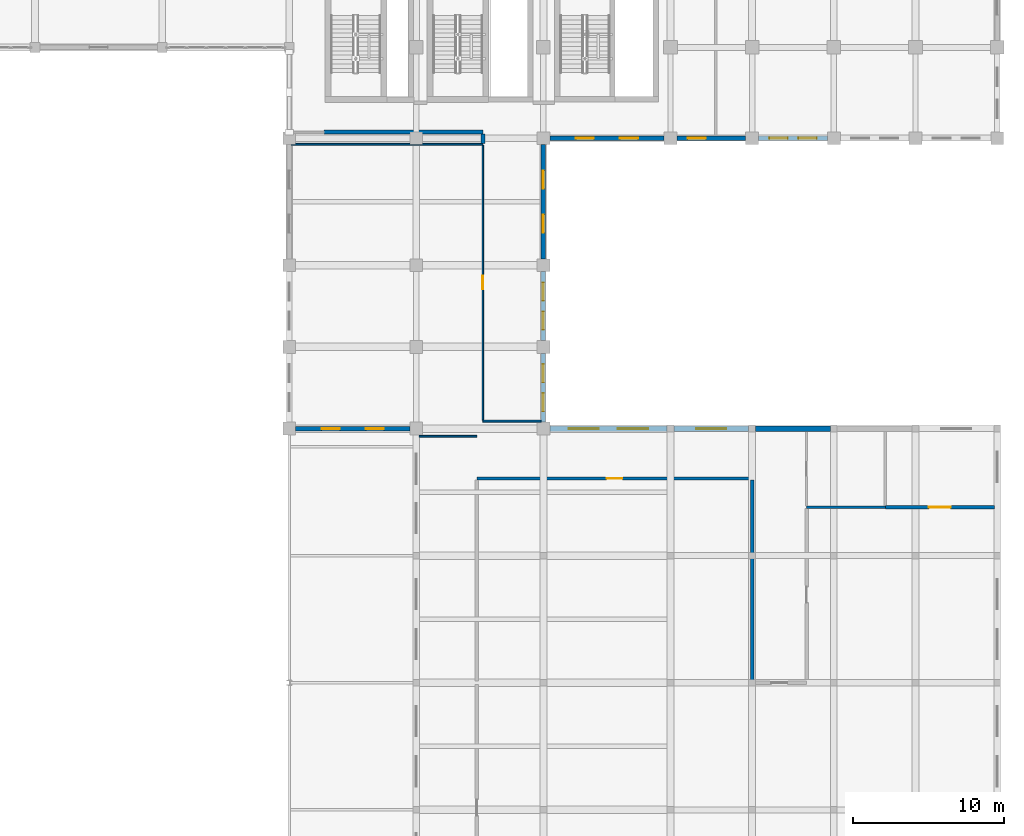
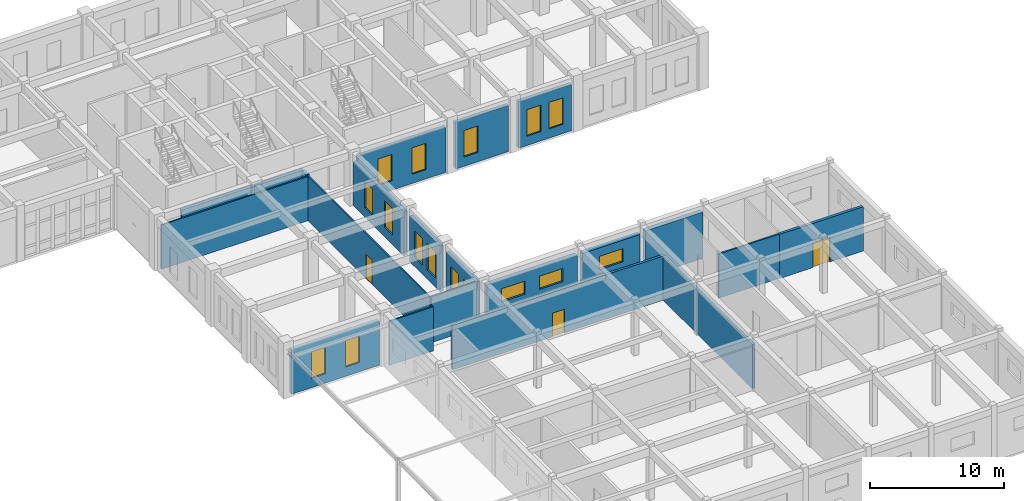
# One storey, part 67 of 80: 20 walls, 16 windows, 3 doors, 19 openings.
"""IFC4 building model written with IfcOpenShell, lengths in metres."""

from ifc_helpers import new_model, si_unit, direction, frame, frame_2d, origin, place, context, subcontext, project, spatial, rectangle, extrude, material, layer, layer_set, type_object, element, fill, save


model = new_model("IFC4")

# Units and contexts
model_context = context("Model", 3, precision=1e-05, world=origin(), true_north=direction((0.0, 1.0)))
body_context = subcontext(model_context, "Body", "Model", "MODEL_VIEW")
ifc_project = project(units=[si_unit("LENGTHUNIT", "METRE"), si_unit("AREAUNIT", "SQUARE_METRE"), si_unit("VOLUMEUNIT", "CUBIC_METRE"), si_unit("PLANEANGLEUNIT", "RADIAN"), si_unit("MASSUNIT", "GRAM", prefix="KILO")], contexts=[model_context])

# Site, building, storey
site_placement = place(None, origin())
site = spatial("IfcSite", under=ifc_project, at=site_placement, CompositionType="ELEMENT")
building_placement = place(site_placement, origin())
building = spatial("IfcBuilding", under=site, at=building_placement, Name="Krzemoval Escarpment Law Courts", CompositionType="ELEMENT")
storey_placement = place(building_placement, origin())
storey = spatial("IfcBuildingStorey", under=building, at=storey_placement, Name="L00", CompositionType="ELEMENT", Elevation=0.0)

# Wall, openings, windows
ifc_material_1 = material(Name="Precast concrete C40/50", Category="concrete")
ifc_layer_1 = layer(ifc_material_1, 0.300048828125)
ifc_layer_set_1 = layer_set([ifc_layer_1], Name="Precast concrete C40/50")
wall_type_1 = type_object("IfcWallType", Name="WL-EXT-300", PredefinedType="SOLIDWALL", material=ifc_layer_set_1)
wall_1_placement = place(storey_placement, frame((161.574951171875, 93.60009765625, 0.0), z_axis=(0.0, 0.0, 1.0), x_axis=(-1.0, 0.0, 0.0)))
wall_1 = element("IfcWall", 1, at=wall_1_placement, inside=storey, type_object=wall_type_1, Name="Exterior Wall EW-L00-0103", PredefinedType="SOLIDWALL", context=body_context, shape_type="SweptSolid", body=[
    extrude(rectangle(XDim=4.550048828125, YDim=0.300048828125, at=frame_2d((2.27490234375, 0.0))), origin(), (0.0, 0.0, 1.0), 4.219970703125),
])
opening_1_placement = place(wall_1_placement, frame((0.717041015625, 0.0, 0.85009765625)))
opening_1 = element("IfcOpeningElement", 2, at=opening_1_placement, cuts=wall_1, Name="Opening WN-L00-0045", PredefinedType="OPENING", context=body_context, shape_type="SweptSolid", body=[
    extrude(rectangle(XDim=1.199951171875, YDim=2.39990234375, at=frame_2d((0.60009765625, 1.199951171875))), frame((0.0, 0.16502, 0.0), z_axis=(0.0, -1.0, 0.0), x_axis=(1.0, 0.0, 0.0)), (0.0, 0.0, 1.0), 0.33005),
])
opening_2_placement = place(wall_1_placement, frame((2.633056640625, 0.0, 0.85009765625)))
opening_2 = element("IfcOpeningElement", 3, at=opening_2_placement, cuts=wall_1, Name="Opening WN-L00-0046", PredefinedType="OPENING", context=body_context, shape_type="SweptSolid", body=[
    extrude(rectangle(XDim=1.199951171875, YDim=2.39990234375, at=frame_2d((0.60009765625, 1.199951171875))), frame((0.0, 0.16502, 0.0), z_axis=(0.0, -1.0, 0.0), x_axis=(1.0, 0.0, 0.0)), (0.0, 0.0, 1.0), 0.33005),
])
ifc_material_2 = material(Name="Thermally Broken Aluminium Frame with Triple Low-E Acoustic Glass", Category="aluminium")
window_type_1 = type_object("IfcWindowType", Name="WN-1200x2400", PartitioningType="SINGLE_PANEL", PredefinedType="WINDOW", material=ifc_material_2)
window_1_placement = place(opening_1_placement, origin())
window_1 = element("IfcWindow", 4, at=window_1_placement, inside=storey, type_object=window_type_1, Name="Facade Window WN-L00-0045", OverallHeight=2.39990234375, OverallWidth=1.199951171875, PartitioningType="SINGLE_PANEL", PredefinedType="WINDOW", context=body_context, shape_type="SweptSolid", body=[
    extrude(rectangle(XDim=1.199951171875, YDim=2.39990234375, at=frame_2d((0.60009765625, 1.199951171875))), frame((0.0, 0.030029296875, 0.0), z_axis=(0.0, -1.0, 0.0), x_axis=(1.0, 0.0, 0.0)), (0.0, 0.0, 1.0), 0.06005859375),
])
fill(opening_1, window_1)
window_2_placement = place(opening_2_placement, origin())
window_2 = element("IfcWindow", 5, at=window_2_placement, inside=storey, type_object=window_type_1, Name="Facade Window WN-L00-0046", OverallHeight=2.39990234375, OverallWidth=1.199951171875, PartitioningType="SINGLE_PANEL", PredefinedType="WINDOW", context=body_context, shape_type="SweptSolid", body=[
    extrude(rectangle(XDim=1.199951171875, YDim=2.39990234375, at=frame_2d((0.60009765625, 1.199951171875))), frame((0.0, 0.030029296875, 0.0), z_axis=(0.0, -1.0, 0.0), x_axis=(1.0, 0.0, 0.0)), (0.0, 0.0, 1.0), 0.06005859375),
])
fill(opening_2, window_2)

# Wall, opening, window
wall_2_placement = place(storey_placement, frame((156.175048828125, 93.60009765625, 0.0), z_axis=(0.0, 0.0, 1.0), x_axis=(-1.0, 0.0, 0.0)))
wall_2 = element("IfcWall", 6, at=wall_2_placement, inside=storey, type_object=wall_type_1, Name="Exterior Wall EW-L00-0104", PredefinedType="SOLIDWALL", context=body_context, shape_type="SweptSolid", body=[
    extrude(rectangle(XDim=4.550048828125, YDim=0.300048828125, at=frame_2d((2.27490234375, 0.0))), origin(), (0.0, 0.0, 1.0), 4.219970703125),
])
opening_3_placement = place(wall_2_placement, frame((2.633056640625, 0.0, 0.85009765625)))
opening_3 = element("IfcOpeningElement", 7, at=opening_3_placement, cuts=wall_2, Name="Opening WN-L00-0047", PredefinedType="OPENING", context=body_context, shape_type="SweptSolid", body=[
    extrude(rectangle(XDim=1.199951171875, YDim=2.39990234375, at=frame_2d((0.60009765625, 1.199951171875))), frame((0.0, 0.16502, 0.0), z_axis=(0.0, -1.0, 0.0), x_axis=(1.0, 0.0, 0.0)), (0.0, 0.0, 1.0), 0.33005),
])
window_3_placement = place(opening_3_placement, origin())
window_3 = element("IfcWindow", 8, at=window_3_placement, inside=storey, type_object=window_type_1, Name="Facade Window WN-L00-0047", OverallHeight=2.39990234375, OverallWidth=1.199951171875, PartitioningType="SINGLE_PANEL", PredefinedType="WINDOW", context=body_context, shape_type="SweptSolid", body=[
    extrude(rectangle(XDim=1.199951171875, YDim=2.39990234375, at=frame_2d((0.60009765625, 1.199951171875))), frame((0.0, 0.030029296875, 0.0), z_axis=(0.0, -1.0, 0.0), x_axis=(1.0, 0.0, 0.0)), (0.0, 0.0, 1.0), 0.06005859375),
])
fill(opening_3, window_3)

# Wall, openings, windows
wall_3_placement = place(storey_placement, frame((150.77490234375, 93.60009765625, 0.0), z_axis=(0.0, 0.0, 1.0), x_axis=(-1.0, 0.0, 0.0)))
wall_3 = element("IfcWall", 9, at=wall_3_placement, inside=storey, type_object=wall_type_1, Name="Exterior Wall EW-L00-0105", PredefinedType="SOLIDWALL", context=body_context, shape_type="SweptSolid", body=[
    extrude(rectangle(XDim=7.5498046875, YDim=0.300048828125, at=frame_2d((3.77490234375, 0.0))), origin(), (0.0, 0.0, 1.0), 4.1201171875),
])
opening_4_placement = place(wall_3_placement, frame((1.717041015625, 0.0, 0.85009765625)))
opening_4 = element("IfcOpeningElement", 10, at=opening_4_placement, cuts=wall_3, Name="Opening WN-L00-0048", PredefinedType="OPENING", context=body_context, shape_type="SweptSolid", body=[
    extrude(rectangle(XDim=1.199951171875, YDim=2.39990234375, at=frame_2d((0.60009765625, 1.199951171875))), frame((0.0, 0.16502, 0.0), z_axis=(0.0, -1.0, 0.0), x_axis=(1.0, 0.0, 0.0)), (0.0, 0.0, 1.0), 0.33005),
])
opening_5_placement = place(wall_3_placement, frame((4.633056640625, 0.0, 0.85009765625)))
opening_5 = element("IfcOpeningElement", 11, at=opening_5_placement, cuts=wall_3, Name="Opening WN-L00-0049", PredefinedType="OPENING", context=body_context, shape_type="SweptSolid", body=[
    extrude(rectangle(XDim=1.199951171875, YDim=2.39990234375, at=frame_2d((0.60009765625, 1.199951171875))), frame((0.0, 0.16502, 0.0), z_axis=(0.0, -1.0, 0.0), x_axis=(1.0, 0.0, 0.0)), (0.0, 0.0, 1.0), 0.33005),
])
window_4_placement = place(opening_4_placement, origin())
window_4 = element("IfcWindow", 12, at=window_4_placement, inside=storey, type_object=window_type_1, Name="Facade Window WN-L00-0048", OverallHeight=2.39990234375, OverallWidth=1.199951171875, PartitioningType="SINGLE_PANEL", PredefinedType="WINDOW", context=body_context, shape_type="SweptSolid", body=[
    extrude(rectangle(XDim=1.199951171875, YDim=2.39990234375, at=frame_2d((0.60009765625, 1.199951171875))), frame((0.0, 0.030029296875, 0.0), z_axis=(0.0, -1.0, 0.0), x_axis=(1.0, 0.0, 0.0)), (0.0, 0.0, 1.0), 0.06005859375),
])
fill(opening_4, window_4)
window_5_placement = place(opening_5_placement, origin())
window_5 = element("IfcWindow", 13, at=window_5_placement, inside=storey, type_object=window_type_1, Name="Facade Window WN-L00-0049", OverallHeight=2.39990234375, OverallWidth=1.199951171875, PartitioningType="SINGLE_PANEL", PredefinedType="WINDOW", context=body_context, shape_type="SweptSolid", body=[
    extrude(rectangle(XDim=1.199951171875, YDim=2.39990234375, at=frame_2d((0.60009765625, 1.199951171875))), frame((0.0, 0.030029296875, 0.0), z_axis=(0.0, -1.0, 0.0), x_axis=(1.0, 0.0, 0.0)), (0.0, 0.0, 1.0), 0.06005859375),
])
fill(opening_5, window_5)

wall_4_placement = place(storey_placement, frame((142.800048828125, 93.175048828125, 0.0), z_axis=(0.0, 0.0, 1.0), x_axis=(0.0, -1.0, 0.0)))
wall_4 = element("IfcWall", 14, at=wall_4_placement, inside=storey, type_object=wall_type_1, Name="Exterior Wall EW-L00-0106", PredefinedType="SOLIDWALL", context=body_context, shape_type="SweptSolid", body=[
    extrude(rectangle(XDim=7.550048828125, YDim=0.300048828125, at=frame_2d((3.77490234375, 0.0))), origin(), (0.0, 0.0, 1.0), 4.02001953125),
])
opening_6_placement = place(wall_4_placement, frame((1.717041015625, 0.0, 0.85009765625)))
opening_6 = element("IfcOpeningElement", 15, at=opening_6_placement, cuts=wall_4, Name="Opening WN-L00-0050", PredefinedType="OPENING", context=body_context, shape_type="SweptSolid", body=[
    extrude(rectangle(XDim=1.199951171875, YDim=2.39990234375, at=frame_2d((0.60009765625, 1.199951171875))), frame((0.0, 0.16502, 0.0), z_axis=(0.0, -1.0, 0.0), x_axis=(1.0, 0.0, 0.0)), (0.0, 0.0, 1.0), 0.33005),
])
opening_7_placement = place(wall_4_placement, frame((4.633056640625, 0.0, 0.85009765625)))
opening_7 = element("IfcOpeningElement", 16, at=opening_7_placement, cuts=wall_4, Name="Opening WN-L00-0051", PredefinedType="OPENING", context=body_context, shape_type="SweptSolid", body=[
    extrude(rectangle(XDim=1.199951171875, YDim=2.39990234375, at=frame_2d((0.60009765625, 1.199951171875))), frame((0.0, 0.16502, 0.0), z_axis=(0.0, -1.0, 0.0), x_axis=(1.0, 0.0, 0.0)), (0.0, 0.0, 1.0), 0.33005),
])
window_6_placement = place(opening_6_placement, origin())
window_6 = element("IfcWindow", 17, at=window_6_placement, inside=storey, type_object=window_type_1, Name="Facade Window WN-L00-0050", OverallHeight=2.39990234375, OverallWidth=1.199951171875, PartitioningType="SINGLE_PANEL", PredefinedType="WINDOW", context=body_context, shape_type="SweptSolid", body=[
    extrude(rectangle(XDim=1.199951171875, YDim=2.39990234375, at=frame_2d((0.60009765625, 1.199951171875))), frame((0.0, 0.030029296875, 0.0), z_axis=(0.0, -1.0, 0.0), x_axis=(1.0, 0.0, 0.0)), (0.0, 0.0, 1.0), 0.06005859375),
])
fill(opening_6, window_6)
window_7_placement = place(opening_7_placement, origin())
window_7 = element("IfcWindow", 18, at=window_7_placement, inside=storey, type_object=window_type_1, Name="Facade Window WN-L00-0051", OverallHeight=2.39990234375, OverallWidth=1.199951171875, PartitioningType="SINGLE_PANEL", PredefinedType="WINDOW", context=body_context, shape_type="SweptSolid", body=[
    extrude(rectangle(XDim=1.199951171875, YDim=2.39990234375, at=frame_2d((0.60009765625, 1.199951171875))), frame((0.0, 0.030029296875, 0.0), z_axis=(0.0, -1.0, 0.0), x_axis=(1.0, 0.0, 0.0)), (0.0, 0.0, 1.0), 0.06005859375),
])
fill(opening_7, window_7)

wall_5_placement = place(storey_placement, frame((142.800048828125, 84.77490234375, 0.0), z_axis=(0.0, 0.0, 1.0), x_axis=(0.0, -1.0, 0.0)))
wall_5 = element("IfcWall", 19, at=wall_5_placement, inside=storey, type_object=wall_type_1, Name="Exterior Wall EW-L00-0107", PredefinedType="SOLIDWALL", context=body_context, shape_type="SweptSolid", body=[
    extrude(rectangle(XDim=4.5498046875, YDim=0.300048828125, at=frame_2d((2.27490234375, 0.0))), origin(), (0.0, 0.0, 1.0), 4.169921875),
])
opening_8_placement = place(wall_5_placement, frame((0.717041015625, 0.0, 0.85009765625)))
opening_8 = element("IfcOpeningElement", 20, at=opening_8_placement, cuts=wall_5, Name="Opening WN-L00-0052", PredefinedType="OPENING", context=body_context, shape_type="SweptSolid", body=[
    extrude(rectangle(XDim=1.199951171875, YDim=2.39990234375, at=frame_2d((0.60009765625, 1.199951171875))), frame((0.0, 0.16502, 0.0), z_axis=(0.0, -1.0, 0.0), x_axis=(1.0, 0.0, 0.0)), (0.0, 0.0, 1.0), 0.33005),
])
opening_9_placement = place(wall_5_placement, frame((2.633056640625, 0.0, 0.85009765625)))
opening_9 = element("IfcOpeningElement", 21, at=opening_9_placement, cuts=wall_5, Name="Opening WN-L00-0053", PredefinedType="OPENING", context=body_context, shape_type="SweptSolid", body=[
    extrude(rectangle(XDim=1.199951171875, YDim=2.39990234375, at=frame_2d((0.60009765625, 1.199951171875))), frame((0.0, 0.16502, 0.0), z_axis=(0.0, -1.0, 0.0), x_axis=(1.0, 0.0, 0.0)), (0.0, 0.0, 1.0), 0.33005),
])
window_8_placement = place(opening_8_placement, origin())
window_8 = element("IfcWindow", 22, at=window_8_placement, inside=storey, type_object=window_type_1, Name="Facade Window WN-L00-0052", OverallHeight=2.39990234375, OverallWidth=1.199951171875, PartitioningType="SINGLE_PANEL", PredefinedType="WINDOW", context=body_context, shape_type="SweptSolid", body=[
    extrude(rectangle(XDim=1.199951171875, YDim=2.39990234375, at=frame_2d((0.60009765625, 1.199951171875))), frame((0.0, 0.030029296875, 0.0), z_axis=(0.0, -1.0, 0.0), x_axis=(1.0, 0.0, 0.0)), (0.0, 0.0, 1.0), 0.06005859375),
])
fill(opening_8, window_8)
window_9_placement = place(opening_9_placement, origin())
window_9 = element("IfcWindow", 23, at=window_9_placement, inside=storey, type_object=window_type_1, Name="Facade Window WN-L00-0053", OverallHeight=2.39990234375, OverallWidth=1.199951171875, PartitioningType="SINGLE_PANEL", PredefinedType="WINDOW", context=body_context, shape_type="SweptSolid", body=[
    extrude(rectangle(XDim=1.199951171875, YDim=2.39990234375, at=frame_2d((0.60009765625, 1.199951171875))), frame((0.0, 0.030029296875, 0.0), z_axis=(0.0, -1.0, 0.0), x_axis=(1.0, 0.0, 0.0)), (0.0, 0.0, 1.0), 0.06005859375),
])
fill(opening_9, window_9)

wall_6_placement = place(storey_placement, frame((142.800048828125, 79.375, 0.0), z_axis=(0.0, 0.0, 1.0), x_axis=(0.0, -1.0, 0.0)))
wall_6 = element("IfcWall", 24, at=wall_6_placement, inside=storey, type_object=wall_type_1, Name="Exterior Wall EW-L00-0108", PredefinedType="SOLIDWALL", context=body_context, shape_type="SweptSolid", body=[
    extrude(rectangle(XDim=4.550048828125, YDim=0.300048828125, at=frame_2d((2.27490234375, 0.0))), origin(), (0.0, 0.0, 1.0), 4.169921875),
])
opening_10_placement = place(wall_6_placement, frame((0.717041015625, 0.0, 0.85009765625)))
opening_10 = element("IfcOpeningElement", 25, at=opening_10_placement, cuts=wall_6, Name="Opening WN-L00-0054", PredefinedType="OPENING", context=body_context, shape_type="SweptSolid", body=[
    extrude(rectangle(XDim=1.199951171875, YDim=2.39990234375, at=frame_2d((0.60009765625, 1.199951171875))), frame((0.0, 0.16502, 0.0), z_axis=(0.0, -1.0, 0.0), x_axis=(1.0, 0.0, 0.0)), (0.0, 0.0, 1.0), 0.33005),
])
opening_11_placement = place(wall_6_placement, frame((2.633056640625, 0.0, 0.85009765625)))
opening_11 = element("IfcOpeningElement", 26, at=opening_11_placement, cuts=wall_6, Name="Opening WN-L00-0055", PredefinedType="OPENING", context=body_context, shape_type="SweptSolid", body=[
    extrude(rectangle(XDim=1.199951171875, YDim=2.39990234375, at=frame_2d((0.60009765625, 1.199951171875))), frame((0.0, 0.16502, 0.0), z_axis=(0.0, -1.0, 0.0), x_axis=(1.0, 0.0, 0.0)), (0.0, 0.0, 1.0), 0.33005),
])
window_10_placement = place(opening_10_placement, origin())
window_10 = element("IfcWindow", 27, at=window_10_placement, inside=storey, type_object=window_type_1, Name="Facade Window WN-L00-0054", OverallHeight=2.39990234375, OverallWidth=1.199951171875, PartitioningType="SINGLE_PANEL", PredefinedType="WINDOW", context=body_context, shape_type="SweptSolid", body=[
    extrude(rectangle(XDim=1.199951171875, YDim=2.39990234375, at=frame_2d((0.60009765625, 1.199951171875))), frame((0.0, 0.030029296875, 0.0), z_axis=(0.0, -1.0, 0.0), x_axis=(1.0, 0.0, 0.0)), (0.0, 0.0, 1.0), 0.06005859375),
])
fill(opening_10, window_10)
window_11_placement = place(opening_11_placement, origin())
window_11 = element("IfcWindow", 28, at=window_11_placement, inside=storey, type_object=window_type_1, Name="Facade Window WN-L00-0055", OverallHeight=2.39990234375, OverallWidth=1.199951171875, PartitioningType="SINGLE_PANEL", PredefinedType="WINDOW", context=body_context, shape_type="SweptSolid", body=[
    extrude(rectangle(XDim=1.199951171875, YDim=2.39990234375, at=frame_2d((0.60009765625, 1.199951171875))), frame((0.0, 0.030029296875, 0.0), z_axis=(0.0, -1.0, 0.0), x_axis=(1.0, 0.0, 0.0)), (0.0, 0.0, 1.0), 0.06005859375),
])
fill(opening_11, window_11)

wall_7_placement = place(storey_placement, frame((133.97509765625, 74.39990234375, 0.0), z_axis=(0.0, 0.0, 1.0), x_axis=(-1.0, 0.0, 0.0)))
wall_7 = element("IfcWall", 29, at=wall_7_placement, inside=storey, type_object=wall_type_1, Name="Exterior Wall EW-L00-0160", PredefinedType="SOLIDWALL", context=body_context, shape_type="SweptSolid", body=[
    extrude(rectangle(XDim=7.550048828125, YDim=0.300048828125, at=frame_2d((3.77490234375, 0.0))), origin(), (0.0, 0.0, 1.0), 4.070068359375),
])
opening_12_placement = place(wall_7_placement, frame((1.717041015625, 0.0, 0.85009765625)))
opening_12 = element("IfcOpeningElement", 30, at=opening_12_placement, cuts=wall_7, Name="Opening WN-L00-0124", PredefinedType="OPENING", context=body_context, shape_type="SweptSolid", body=[
    extrude(rectangle(XDim=1.199951171875, YDim=2.39990234375, at=frame_2d((0.60009765625, 1.199951171875))), frame((0.0, 0.16502, 0.0), z_axis=(0.0, -1.0, 0.0), x_axis=(1.0, 0.0, 0.0)), (0.0, 0.0, 1.0), 0.33005),
])
opening_13_placement = place(wall_7_placement, frame((4.633056640625, 0.0, 0.85009765625)))
opening_13 = element("IfcOpeningElement", 31, at=opening_13_placement, cuts=wall_7, Name="Opening WN-L00-0125", PredefinedType="OPENING", context=body_context, shape_type="SweptSolid", body=[
    extrude(rectangle(XDim=1.199951171875, YDim=2.39990234375, at=frame_2d((0.60009765625, 1.199951171875))), frame((0.0, 0.16502, 0.0), z_axis=(0.0, -1.0, 0.0), x_axis=(1.0, 0.0, 0.0)), (0.0, 0.0, 1.0), 0.33005),
])
window_12_placement = place(opening_12_placement, origin())
window_12 = element("IfcWindow", 32, at=window_12_placement, inside=storey, type_object=window_type_1, Name="Facade Window WN-L00-0124", OverallHeight=2.39990234375, OverallWidth=1.199951171875, PartitioningType="SINGLE_PANEL", PredefinedType="WINDOW", context=body_context, shape_type="SweptSolid", body=[
    extrude(rectangle(XDim=1.199951171875, YDim=2.39990234375, at=frame_2d((0.60009765625, 1.199951171875))), frame((0.0, 0.030029296875, 0.0), z_axis=(0.0, -1.0, 0.0), x_axis=(1.0, 0.0, 0.0)), (0.0, 0.0, 1.0), 0.06005859375),
])
fill(opening_12, window_12)
window_13_placement = place(opening_13_placement, origin())
window_13 = element("IfcWindow", 33, at=window_13_placement, inside=storey, type_object=window_type_1, Name="Facade Window WN-L00-0125", OverallHeight=2.39990234375, OverallWidth=1.199951171875, PartitioningType="SINGLE_PANEL", PredefinedType="WINDOW", context=body_context, shape_type="SweptSolid", body=[
    extrude(rectangle(XDim=1.199951171875, YDim=2.39990234375, at=frame_2d((0.60009765625, 1.199951171875))), frame((0.0, 0.030029296875, 0.0), z_axis=(0.0, -1.0, 0.0), x_axis=(1.0, 0.0, 0.0)), (0.0, 0.0, 1.0), 0.06005859375),
])
fill(opening_13, window_13)

ifc_material_3 = material(Name="Concrete C40/50", Category="concrete")
ifc_layer_2 = layer(ifc_material_3, 0.3798828125)
ifc_layer_set_2 = layer_set([ifc_layer_2], Name="Concrete C40/50")
wall_type_2 = type_object("IfcWallType", Name="WL-EXT-380", PredefinedType="SOLIDWALL", material=ifc_layer_set_2)
wall_8_placement = place(storey_placement, frame((143.22509765625, 74.39990234375, 0.0), z_axis=(0.0, 0.0, 1.0), x_axis=(1.0, 0.0, 0.0)))
wall_8 = element("IfcWall", 34, at=wall_8_placement, inside=storey, type_object=wall_type_2, Name="Exterior Wall EW-L00-0109", PredefinedType="SOLIDWALL", context=body_context, shape_type="SweptSolid", body=[
    extrude(rectangle(XDim=7.75, YDim=0.3798828125, at=frame_2d((3.875, 0.0))), origin(), (0.0, 0.0, 1.0), 4.070068359375),
])
opening_14_placement = place(wall_8_placement, frame((1.25, 0.0, 2.10009765625)))
opening_14 = element("IfcOpeningElement", 35, at=opening_14_placement, cuts=wall_8, Name="Opening WN-L00-0056", PredefinedType="OPENING", context=body_context, shape_type="SweptSolid", body=[
    extrude(rectangle(XDim=2.0, YDim=1.199951171875, at=frame_2d((1.0, 0.60009765625))), frame((0.0, 0.20494, 0.0), z_axis=(0.0, -1.0, 0.0), x_axis=(1.0, 0.0, 0.0)), (0.0, 0.0, 1.0), 0.40988),
])
opening_15_placement = place(wall_8_placement, frame((4.5, 0.0, 2.10009765625)))
opening_15 = element("IfcOpeningElement", 36, at=opening_15_placement, cuts=wall_8, Name="Opening WN-L00-0057", PredefinedType="OPENING", context=body_context, shape_type="SweptSolid", body=[
    extrude(rectangle(XDim=2.0, YDim=1.199951171875, at=frame_2d((1.0, 0.60009765625))), frame((0.0, 0.20494, 0.0), z_axis=(0.0, -1.0, 0.0), x_axis=(1.0, 0.0, 0.0)), (0.0, 0.0, 1.0), 0.40988),
])
ifc_material_4 = material(Name="Thermally Broken Aluminium Frame with Triple Low-E Acoustic Glass", Category="aluminium")
window_type_2 = type_object("IfcWindowType", Name="WN-2000x1200", PartitioningType="SINGLE_PANEL", PredefinedType="WINDOW", material=ifc_material_4)
window_14_placement = place(opening_14_placement, origin())
window_14 = element("IfcWindow", 37, at=window_14_placement, inside=storey, type_object=window_type_2, Name="Facade Window WN-L00-0056", OverallHeight=1.199951171875, OverallWidth=2.0, PartitioningType="SINGLE_PANEL", PredefinedType="WINDOW", context=body_context, shape_type="SweptSolid", body=[
    extrude(rectangle(XDim=2.0, YDim=1.199951171875, at=frame_2d((1.0, 0.60009765625))), frame((0.0, 0.030029296875, 0.0), z_axis=(0.0, -1.0, 0.0), x_axis=(1.0, 0.0, 0.0)), (0.0, 0.0, 1.0), 0.06005859375),
])
fill(opening_14, window_14)
window_15_placement = place(opening_15_placement, origin())
window_15 = element("IfcWindow", 38, at=window_15_placement, inside=storey, type_object=window_type_2, Name="Facade Window WN-L00-0057", OverallHeight=1.199951171875, OverallWidth=2.0, PartitioningType="SINGLE_PANEL", PredefinedType="WINDOW", context=body_context, shape_type="SweptSolid", body=[
    extrude(rectangle(XDim=2.0, YDim=1.199951171875, at=frame_2d((1.0, 0.60009765625))), frame((0.0, 0.030029296875, 0.0), z_axis=(0.0, -1.0, 0.0), x_axis=(1.0, 0.0, 0.0)), (0.0, 0.0, 1.0), 0.06005859375),
])
fill(opening_15, window_15)

# Wall, opening, window
wall_9_placement = place(storey_placement, frame((151.425048828125, 74.39990234375, 0.0), z_axis=(0.0, 0.0, 1.0), x_axis=(1.0, 0.0, 0.0)))
wall_9 = element("IfcWall", 39, at=wall_9_placement, inside=storey, type_object=wall_type_2, Name="Exterior Wall EW-L00-0110", PredefinedType="SOLIDWALL", context=body_context, shape_type="SweptSolid", body=[
    extrude(rectangle(XDim=4.949951171875, YDim=0.3798828125, at=frame_2d((2.47509765625, 0.0))), origin(), (0.0, 0.0, 1.0), 4.070068359375),
])
opening_16_placement = place(wall_9_placement, frame((1.47509765625, 0.0, 2.10009765625)))
opening_16 = element("IfcOpeningElement", 40, at=opening_16_placement, cuts=wall_9, Name="Opening WN-L00-0058", PredefinedType="OPENING", context=body_context, shape_type="SweptSolid", body=[
    extrude(rectangle(XDim=2.0, YDim=1.199951171875, at=frame_2d((1.0, 0.60009765625))), frame((0.0, 0.20494, 0.0), z_axis=(0.0, -1.0, 0.0), x_axis=(1.0, 0.0, 0.0)), (0.0, 0.0, 1.0), 0.40988),
])
window_16_placement = place(opening_16_placement, origin())
window_16 = element("IfcWindow", 41, at=window_16_placement, inside=storey, type_object=window_type_2, Name="Facade Window WN-L00-0058", OverallHeight=1.199951171875, OverallWidth=2.0, PartitioningType="SINGLE_PANEL", PredefinedType="WINDOW", context=body_context, shape_type="SweptSolid", body=[
    extrude(rectangle(XDim=2.0, YDim=1.199951171875, at=frame_2d((1.0, 0.60009765625))), frame((0.0, 0.030029296875, 0.0), z_axis=(0.0, -1.0, 0.0), x_axis=(1.0, 0.0, 0.0)), (0.0, 0.0, 1.0), 0.06005859375),
])
fill(opening_16, window_16)

# Wall
wall_10_placement = place(storey_placement, frame((156.824951171875, 74.39990234375, 0.0), z_axis=(0.0, 0.0, 1.0), x_axis=(1.0, 0.0, 0.0)))
element("IfcWall", 42, at=wall_10_placement, inside=storey, type_object=wall_type_2, Name="Exterior Wall EW-L00-0111", PredefinedType="SOLIDWALL", context=body_context, shape_type="SweptSolid", body=[
    extrude(rectangle(XDim=4.949951171875, YDim=0.3798828125, at=frame_2d((2.47509765625, 0.0))), origin(), (0.0, 0.0, 1.0), 4.219970703125),
])

# Wall, opening, door
ifc_material_5 = material(Name="Light Internal Subdivision Partition", Category="gypsum")
ifc_layer_3 = layer(ifc_material_5, 0.114990234375)
ifc_layer_set_3 = layer_set([ifc_layer_3], Name="Light Internal Subdivision Partition")
wall_type_3 = type_object("IfcWallType", Name="WL-PRT-115", PredefinedType="PARTITIONING", material=ifc_layer_set_3)
wall_11_placement = place(storey_placement, frame((138.800048828125, 74.965087890625, 0.0), z_axis=(0.0, 0.0, 1.0), x_axis=(0.0, 1.0, 0.0)))
wall_11 = element("IfcWall", 43, at=wall_11_placement, inside=storey, type_object=wall_type_3, Name="Interior Partition PW-L00-0213", PredefinedType="PARTITIONING", context=body_context, shape_type="SweptSolid", body=[
    extrude(rectangle(XDim=18.1708984375, YDim=0.114990234375, at=frame_2d((9.08544921875, 0.0))), origin(), (0.0, 0.0, 1.0), 4.070068359375),
])
opening_17_placement = place(wall_11_placement, frame((8.635009765625, 0.0, 0.0)))
opening_17 = element("IfcOpeningElement", 44, at=opening_17_placement, cuts=wall_11, Name="Opening D-L00-0076", PredefinedType="OPENING", context=body_context, shape_type="SweptSolid", body=[
    extrude(rectangle(XDim=0.89990234375, YDim=2.199951171875, at=frame_2d((0.449951171875, 1.10009765625))), frame((0.0, 0.0725, 0.0), z_axis=(0.0, -1.0, 0.0), x_axis=(1.0, 0.0, 0.0)), (0.0, 0.0, 1.0), 0.14499),
])
ifc_material_6 = material(Name="Engineered Solid-Core Oak Acoustic Timber", Category="wood")
door_type_1 = type_object("IfcDoorType", Name="DR-INT-900x2200", OperationType="SINGLE_SWING_LEFT", PredefinedType="DOOR", material=ifc_material_6)
door_1_placement = place(opening_17_placement, origin())
door_1 = element("IfcDoor", 45, at=door_1_placement, inside=storey, type_object=door_type_1, Name="Room Door D-L00-0076", OperationType="SINGLE_SWING_RIGHT", OverallHeight=2.199951171875, OverallWidth=0.89990234375, PredefinedType="DOOR", context=body_context, shape_type="SweptSolid", body=[
    extrude(rectangle(XDim=0.89990234375, YDim=2.199951171875, at=frame_2d((0.449951171875, 1.10009765625))), frame((0.0, 0.02490234375, 0.0), z_axis=(0.0, -1.0, 0.0), x_axis=(1.0, 0.0, 0.0)), (0.0, 0.0, 1.0), 0.050048828125),
])
fill(opening_17, door_1)

# Walls
ifc_material_7 = material(Name="Standard Metal-Stud Gypsum Partition", Category="gypsum")
ifc_layer_4 = layer(ifc_material_7, 0.125)
ifc_layer_set_4 = layer_set([ifc_layer_4], Name="Standard Metal-Stud Gypsum Partition")
wall_type_4 = type_object("IfcWallType", Name="WL-PRT-125", PredefinedType="PARTITIONING", material=ifc_layer_set_4)
wall_12_placement = place(storey_placement, frame((134.592041015625, 73.89990234375, 0.0), z_axis=(0.0, 0.0, 1.0), x_axis=(1.0, 0.0, 0.0)))
element("IfcWall", 46, at=wall_12_placement, inside=storey, type_object=wall_type_4, Name="Interior Partition PW-L00-0133", PredefinedType="PARTITIONING", context=body_context, shape_type="SweptSolid", body=[
    extrude(rectangle(XDim=3.807861328125, YDim=0.125, at=frame_2d((1.90380859375, 0.0))), origin(), (0.0, 0.0, 1.0), 4.02001953125),
])
wall_13_placement = place(storey_placement, frame((138.800048828125, 74.89990234375, 0.0), z_axis=(0.0, 0.0, 1.0), x_axis=(1.0, 0.0, 0.0)))
element("IfcWall", 47, at=wall_13_placement, inside=storey, type_object=wall_type_4, Name="Interior Partition PW-L00-0134", PredefinedType="PARTITIONING", context=body_context, shape_type="SweptSolid", body=[
    extrude(rectangle(XDim=3.847900390625, YDim=0.125, at=frame_2d((1.923828125, 0.0))), origin(), (0.0, 0.0, 1.0), 4.169921875),
])
wall_14_placement = place(storey_placement, frame((126.14404296875, 93.199951171875, 0.0), z_axis=(0.0, 0.0, 1.0), x_axis=(1.0, 0.0, 0.0)))
element("IfcWall", 48, at=wall_14_placement, inside=storey, type_object=wall_type_4, Name="Interior Partition PW-L00-0135", PredefinedType="PARTITIONING", context=body_context, shape_type="SweptSolid", body=[
    extrude(rectangle(XDim=12.656005859375, YDim=0.125, at=frame_2d((6.328125, 0.0))), origin(), (0.0, 0.0, 1.0), 4.02001953125),
])
ifc_material_8 = material(Name="Sanitary Moisture-Resistant Partition", Category="gypsum")
ifc_layer_5 = layer(ifc_material_8, 0.139892578125)
ifc_layer_set_5 = layer_set([ifc_layer_5], Name="Sanitary Moisture-Resistant Partition")
wall_type_5 = type_object("IfcWallType", Name="WL-PRT-140", PredefinedType="PARTITIONING", material=ifc_layer_set_5)
wall_15_placement = place(storey_placement, frame((160.199951171875, 69.199951171875, 0.0), z_axis=(0.0, 0.0, 1.0), x_axis=(1.0, 0.0, 0.0)))
element("IfcWall", 49, at=wall_15_placement, inside=storey, type_object=wall_type_5, Name="Interior Partition PW-L00-0130", PredefinedType="PARTITIONING", context=body_context, shape_type="SweptSolid", body=[
    extrude(rectangle(XDim=5.199951171875, YDim=0.139892578125, at=frame_2d((2.60009765625, 0.0))), origin(), (0.0, 0.0, 1.0), 4.02001953125),
])

# Wall, opening, door
ifc_material_9 = material(Name="Solid Calcium-Silicate Custody Blockwork Partition", Category="masonry")
ifc_layer_6 = layer(ifc_material_9, 0.219970703125)
ifc_layer_set_6 = layer_set([ifc_layer_6], Name="Solid Calcium-Silicate Custody Blockwork Partition")
wall_type_6 = type_object("IfcWallType", Name="WL-PRT-220", PredefinedType="PARTITIONING", material=ifc_layer_set_6)
wall_16_placement = place(storey_placement, frame((138.39990234375, 71.10009765625, 0.0), z_axis=(0.0, 0.0, 1.0), x_axis=(1.0, 0.0, 0.0)))
wall_16 = element("IfcWall", 50, at=wall_16_placement, inside=storey, type_object=wall_type_6, Name="Interior Partition PW-L00-0132", PredefinedType="PARTITIONING", context=body_context, shape_type="SweptSolid", body=[
    extrude(rectangle(XDim=18.2001953125, YDim=0.219970703125, at=frame_2d((9.10009765625, 0.0))), origin(), (0.0, 0.0, 1.0), 4.02001953125),
])
opening_18_placement = place(wall_16_placement, frame((8.574951171875, 0.0, 0.0)))
opening_18 = element("IfcOpeningElement", 51, at=opening_18_placement, cuts=wall_16, Name="Opening D-L00-0072", PredefinedType="OPENING", context=body_context, shape_type="SweptSolid", body=[
    extrude(rectangle(XDim=1.050048828125, YDim=2.14990234375, at=frame_2d((0.52490234375, 1.074951171875))), frame((0.0, 0.12499, 0.0), z_axis=(0.0, -1.0, 0.0), x_axis=(1.0, 0.0, 0.0)), (0.0, 0.0, 1.0), 0.24997),
])
ifc_material_10 = material(Name="Galvanised Steel S355", Category="steel")
door_type_2 = type_object("IfcDoorType", Name="DR-CUS-1050x2150", OperationType="SINGLE_SWING_LEFT", PredefinedType="DOOR", material=ifc_material_10)
door_2_placement = place(opening_18_placement, origin())
door_2 = element("IfcDoor", 52, at=door_2_placement, inside=storey, type_object=door_type_2, Name="Room Door D-L00-0072", OperationType="SINGLE_SWING_LEFT", OverallHeight=2.14990234375, OverallWidth=1.050048828125, PredefinedType="DOOR", context=body_context, shape_type="SweptSolid", body=[
    extrude(rectangle(XDim=1.050048828125, YDim=2.14990234375, at=frame_2d((0.52490234375, 1.074951171875))), frame((0.0, 0.02490234375, 0.0), z_axis=(0.0, -1.0, 0.0), x_axis=(1.0, 0.0, 0.0)), (0.0, 0.0, 1.0), 0.050048828125),
])
fill(opening_18, door_2)

# Wall
wall_17_placement = place(storey_placement, frame((156.60009765625, 57.7119140625, 0.0), z_axis=(0.0, 0.0, 1.0), x_axis=(0.0, 1.0, 0.0)))
element("IfcWall", 53, at=wall_17_placement, inside=storey, type_object=wall_type_6, Name="Interior Partition PW-L00-0220", PredefinedType="PARTITIONING", context=body_context, shape_type="SweptSolid", body=[
    extrude(rectangle(XDim=13.276123046875, YDim=0.219970703125, at=frame_2d((6.63818359375, 0.0))), origin(), (0.0, 0.0, 1.0), 4.02001953125),
])

# Wall, opening, door
ifc_material_11 = material(Name="Acoustic Courtroom Partition Assembly", Category="gypsum")
ifc_layer_7 = layer(ifc_material_11, 0.239990234375)
ifc_layer_set_7 = layer_set([ifc_layer_7], Name="Acoustic Courtroom Partition Assembly")
wall_type_7 = type_object("IfcWallType", Name="WL-PRT-240", PredefinedType="PARTITIONING", material=ifc_layer_set_7)
wall_18_placement = place(storey_placement, frame((165.39990234375, 69.199951171875, 0.0), z_axis=(0.0, 0.0, 1.0), x_axis=(1.0, 0.0, 0.0)))
wall_18 = element("IfcWall", 54, at=wall_18_placement, inside=storey, type_object=wall_type_7, Name="Interior Partition PW-L00-0131", PredefinedType="PARTITIONING", context=body_context, shape_type="SweptSolid", body=[
    extrude(rectangle(XDim=7.2080078125, YDim=0.239990234375, at=frame_2d((3.60400390625, 0.0))), origin(), (0.0, 0.0, 1.0), 4.02001953125),
])
opening_19_placement = place(wall_18_placement, frame((2.87890625, 0.0, 0.0)))
opening_19 = element("IfcOpeningElement", 55, at=opening_19_placement, cuts=wall_18, Name="Opening D-L00-0075", PredefinedType="OPENING", context=body_context, shape_type="SweptSolid", body=[
    extrude(rectangle(XDim=1.449951171875, YDim=2.25, at=frame_2d((0.72509765625, 1.125))), frame((0.0, 0.135, 0.0), z_axis=(0.0, -1.0, 0.0), x_axis=(1.0, 0.0, 0.0)), (0.0, 0.0, 1.0), 0.26999),
])
ifc_material_12 = material(Name="Engineered Solid-Core Oak Acoustic Timber", Category="wood")
door_type_3 = type_object("IfcDoorType", Name="DR-INT-1450x2250", OperationType="SINGLE_SWING_LEFT", PredefinedType="DOOR", material=ifc_material_12)
door_3_placement = place(opening_19_placement, origin())
door_3 = element("IfcDoor", 56, at=door_3_placement, inside=storey, type_object=door_type_3, Name="Room Door D-L00-0075", OperationType="SINGLE_SWING_LEFT", OverallHeight=2.25, OverallWidth=1.449951171875, PredefinedType="DOOR", context=body_context, shape_type="SweptSolid", body=[
    extrude(rectangle(XDim=1.449951171875, YDim=2.25, at=frame_2d((0.72509765625, 1.125))), frame((0.0, 0.02490234375, 0.0), z_axis=(0.0, -1.0, 0.0), x_axis=(1.0, 0.0, 0.0)), (0.0, 0.0, 1.0), 0.050048828125),
])
fill(opening_19, door_3)

# Walls
ifc_material_13 = material(Name="Acoustic Double-Stud Gypsum and Mineral Wool Wall", Category="gypsum")
ifc_layer_8 = layer(ifc_material_13, 0.260009765625)
ifc_layer_set_8 = layer_set([ifc_layer_8], Name="Acoustic Double-Stud Gypsum and Mineral Wool Wall")
wall_type_8 = type_object("IfcWallType", Name="WL-PRT-260", PredefinedType="PARTITIONING", material=ifc_layer_set_8)
wall_19_placement = place(storey_placement, frame((128.300048828125, 94.0, 0.0), z_axis=(0.0, 0.0, 1.0), x_axis=(1.0, 0.0, 0.0)))
element("IfcWall", 57, at=wall_19_placement, inside=storey, type_object=wall_type_8, Name="Interior Partition PW-L00-0137", PredefinedType="PARTITIONING", context=body_context, shape_type="SweptSolid", body=[
    extrude(rectangle(XDim=10.5, YDim=0.260009765625, at=frame_2d((5.25, 0.0))), origin(), (0.0, 0.0, 1.0), 4.169921875),
])
wall_20_placement = place(storey_placement, frame((138.800048828125, 93.263916015625, 0.0), z_axis=(0.0, 0.0, 1.0), x_axis=(0.0, 1.0, 0.0)))
element("IfcWall", 58, at=wall_20_placement, inside=storey, type_object=wall_type_8, Name="Interior Partition PW-L00-0214", PredefinedType="PARTITIONING", context=body_context, shape_type="SweptSolid", body=[
    extrude(rectangle(XDim=0.60400390625, YDim=0.260009765625, at=frame_2d((0.302001953125, 0.0))), origin(), (0.0, 0.0, 1.0), 4.1201171875),
])

save(model, "model.ifc")
